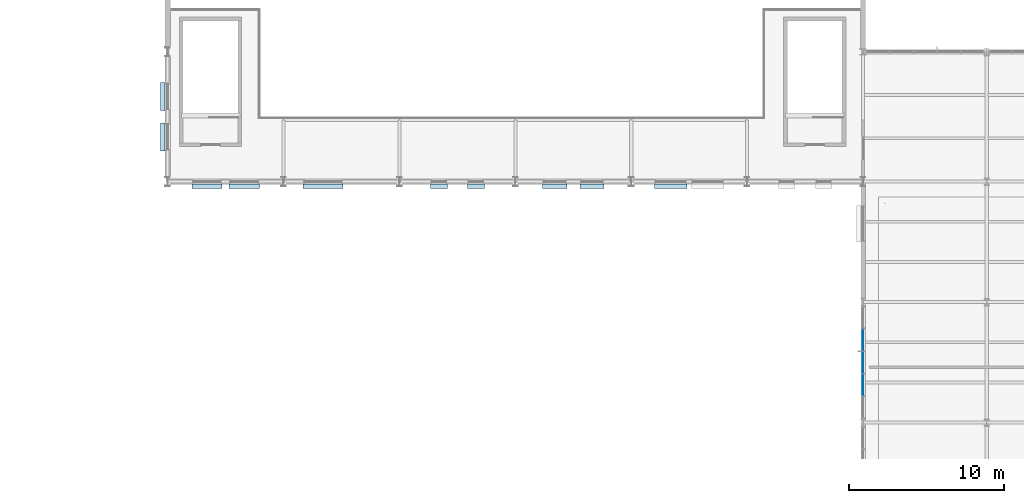
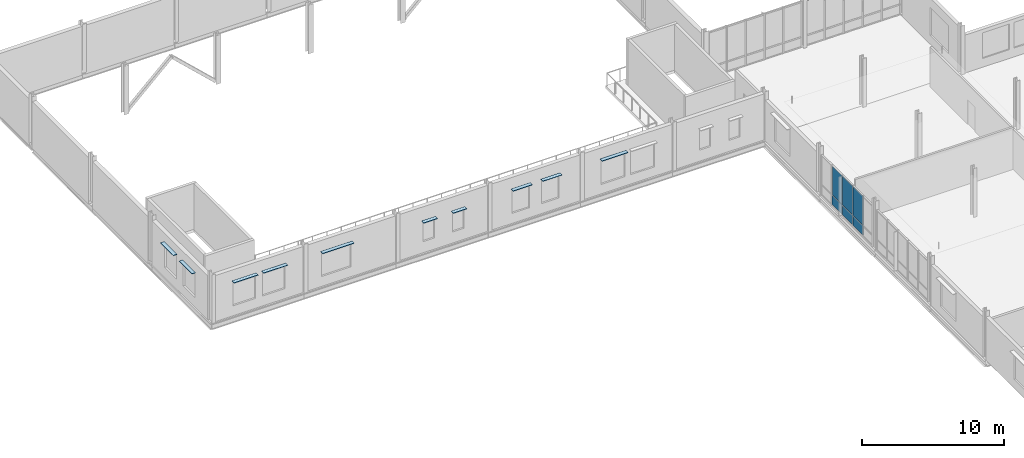
# One storey, part 49 of 75: 16 plates, 1 element without a shape of its own.
"""IFC4 building model written with IfcOpenShell, lengths in metres."""

from ifc_helpers import new_model, si_unit, direction, frame, origin, origin_2d, place, context, subcontext, project, spatial, rectangle, extrude, material, layer, layer_set, type_object, element, aggregate, save


model = new_model("IFC4")

# Units and contexts
model_context = context("Model", 3, precision=1e-05, world=origin(), true_north=direction((0.0, 1.0)))
body_context = subcontext(model_context, "Body", "Model", "MODEL_VIEW")
ifc_project = project(units=[si_unit("LENGTHUNIT", "METRE"), si_unit("AREAUNIT", "SQUARE_METRE"), si_unit("VOLUMEUNIT", "CUBIC_METRE"), si_unit("PLANEANGLEUNIT", "RADIAN"), si_unit("MASSUNIT", "GRAM", prefix="KILO")], contexts=[model_context])

# Site, building, storey
site_placement = place(None, origin())
site = spatial("IfcSite", under=ifc_project, at=site_placement, CompositionType="ELEMENT")
building_placement = place(site_placement, origin())
building = spatial("IfcBuilding", under=site, at=building_placement, Name="Yukiwa Park Conservatory and Herbarium", CompositionType="ELEMENT")
storey_placement = place(building_placement, frame((0.0, 0.0, 4.800048828125)))
storey = spatial("IfcBuildingStorey", under=building, at=storey_placement, Name="L01", CompositionType="ELEMENT", Elevation=4.800048828125)

# Curtain wall, plates
ifc_material_1 = material(Name="Triple Low-E Insulated Glass", Category="glass")
ifc_layer_1 = layer(ifc_material_1, 0.199951171875)
ifc_layer_set_1 = layer_set([ifc_layer_1], Name="Triple Low-E Insulated Glass")
curtain_wall_type = type_object("IfcCurtainWallType", Name="CW-VISITOR-1600", PredefinedType="NOTDEFINED", material=ifc_layer_set_1)
curtain_wall_placement = place(storey_placement, origin())
curtain_wall = element("IfcCurtainWall", 1, at=curtain_wall_placement, inside=storey, type_object=curtain_wall_type, Name="L01 unitised curtain wall CW-L01-048", PredefinedType="NOTDEFINED")
ifc_material_2 = material(Name="Triple Low-E Insulated Glass", Category="glass")
ifc_layer_2 = layer(ifc_material_2, 0.035888671875)
ifc_layer_set_2 = layer_set([ifc_layer_2], Name="Triple Low-E Insulated Glass")
plate_type_1 = type_object("IfcPlateType", Name="PL-CW-GLZ-36", PredefinedType="CURTAIN_PANEL", material=ifc_layer_set_2)
plate_1_placement = place(storey_placement, frame((60.0, 67.762451171875, 0.934814453125), z_axis=(0.0, 0.0, 1.0), x_axis=(0.0, -1.0, 0.0)))
plate_1 = element("IfcPlate", 2, at=plate_1_placement, type_object=plate_type_1, Name="CW-L01-048 vision panel 2.2", PredefinedType="CURTAIN_PANEL", context=body_context, shape_type="SweptSolid", body=[
    extrude(rectangle(XDim=1.392333984375, YDim=0.035888671875, at=origin_2d()), origin(), (0.0, 0.0, 1.0), 2.4560546875),
])
plate_2_placement = place(storey_placement, frame((60.0, 66.300048828125, 0.934814453125), z_axis=(0.0, 0.0, 1.0), x_axis=(0.0, -1.0, 0.0)))
plate_2 = element("IfcPlate", 3, at=plate_2_placement, type_object=plate_type_1, Name="CW-L01-048 vision panel 3.2", PredefinedType="CURTAIN_PANEL", context=body_context, shape_type="SweptSolid", body=[
    extrude(rectangle(XDim=1.392333984375, YDim=0.035888671875, at=origin_2d()), origin(), (0.0, 0.0, 1.0), 2.4560546875),
])
plate_3_placement = place(storey_placement, frame((60.0, 64.837646484375, 0.934814453125), z_axis=(0.0, 0.0, 1.0), x_axis=(0.0, -1.0, 0.0)))
plate_3 = element("IfcPlate", 4, at=plate_3_placement, type_object=plate_type_1, Name="CW-L01-048 vision panel 4.2", PredefinedType="CURTAIN_PANEL", context=body_context, shape_type="SweptSolid", body=[
    extrude(rectangle(XDim=1.392333984375, YDim=0.035888671875, at=origin_2d()), origin(), (0.0, 0.0, 1.0), 2.4560546875),
])
ifc_material_3 = material(Name="Anodised Aluminium", Category="aluminium")
ifc_layer_3 = layer(ifc_material_3, 0.044921875)
ifc_layer_set_3 = layer_set([ifc_layer_3], Name="Anodised Aluminium")
plate_type_2 = type_object("IfcPlateType", Name="PL-CW-SPN-45", PredefinedType="CURTAIN_PANEL", material=ifc_layer_set_3)
plate_4_placement = place(storey_placement, frame((60.0, 67.762451171875, 0.070068359375), z_axis=(0.0, 0.0, 1.0), x_axis=(0.0, -1.0, 0.0)))
plate_4 = element("IfcPlate", 5, at=plate_4_placement, type_object=plate_type_2, Name="CW-L01-048 spandrel panel 2.1", PredefinedType="CURTAIN_PANEL", context=body_context, shape_type="SweptSolid", body=[
    extrude(rectangle(XDim=1.392333984375, YDim=0.044921875, at=origin_2d()), origin(), (0.0, 0.0, 1.0), 0.794921875),
])
plate_5_placement = place(storey_placement, frame((60.0, 66.300048828125, 0.070068359375), z_axis=(0.0, 0.0, 1.0), x_axis=(0.0, -1.0, 0.0)))
plate_5 = element("IfcPlate", 6, at=plate_5_placement, type_object=plate_type_2, Name="CW-L01-048 spandrel panel 3.1", PredefinedType="CURTAIN_PANEL", context=body_context, shape_type="SweptSolid", body=[
    extrude(rectangle(XDim=1.392333984375, YDim=0.044921875, at=origin_2d()), origin(), (0.0, 0.0, 1.0), 0.794921875),
])
plate_6_placement = place(storey_placement, frame((60.0, 64.837646484375, 0.070068359375), z_axis=(0.0, 0.0, 1.0), x_axis=(0.0, -1.0, 0.0)))
plate_6 = element("IfcPlate", 7, at=plate_6_placement, type_object=plate_type_2, Name="CW-L01-048 spandrel panel 4.1", PredefinedType="CURTAIN_PANEL", context=body_context, shape_type="SweptSolid", body=[
    extrude(rectangle(XDim=1.392333984375, YDim=0.044921875, at=origin_2d()), origin(), (0.0, 0.0, 1.0), 0.794921875),
])
aggregate(curtain_wall, [plate_4, plate_1, plate_5, plate_2, plate_6, plate_3])

# Plates
ifc_material_4 = material(Name="Anodised Aluminium", Category="aluminium")
ifc_layer_4 = layer(ifc_material_4, 0.0400390625)
ifc_layer_set_4 = layer_set([ifc_layer_4], Name="Anodised Aluminium")
plate_type_3 = type_object("IfcPlateType", Name="PL-SHADE-ALU-40", PredefinedType="SHEET", material=ifc_layer_set_4)
for number, where, z_axis, x_axis, name in (
    (8, (14.68994140625, 83.5009765625, 2.989990234375), (0.0, 0.0, 1.0), (0.0, -1.0, 0.0), "L01 snow-shedding window hood 62"),
    (9, (14.68994140625, 80.89599609375, 2.989990234375), (0.0, 0.0, 1.0), (0.0, -1.0, 0.0), "L01 snow-shedding window hood 63"),
):
    element("IfcPlate", number, at=place(storey_placement, frame(where, z_axis=z_axis, x_axis=x_axis)), inside=storey, type_object=plate_type_3, Name=name, PredefinedType="SHEET", context=body_context, shape_type="SweptSolid", body=[
        extrude(rectangle(XDim=1.81005859375, YDim=0.300048828125, at=origin_2d()), origin(), (0.0, 0.0, 1.0), 0.0400390625),
    ])
for number, where, z_axis, x_axis, name in (
    (10, (17.550048828125, 77.68994140625, 2.989990234375), (0.0, 0.0, 1.0), (1.0, 0.0, 0.0), "L01 snow-shedding window hood 64"),
    (11, (19.949951171875, 77.68994140625, 2.989990234375), (0.0, 0.0, 1.0), (1.0, 0.0, 0.0), "L01 snow-shedding window hood 65"),
):
    element("IfcPlate", number, at=place(storey_placement, frame(where, z_axis=z_axis, x_axis=x_axis)), inside=storey, type_object=plate_type_3, Name=name, PredefinedType="SHEET", context=body_context, shape_type="SweptSolid", body=[
        extrude(rectangle(XDim=1.9599609375, YDim=0.300048828125, at=origin_2d()), origin(), (0.0, 0.0, 1.0), 0.0400390625),
    ])
plate_7_placement = place(storey_placement, frame((25.050048828125, 77.68994140625, 2.989990234375), z_axis=(0.0, 0.0, 1.0), x_axis=(1.0, 0.0, 0.0)))
element("IfcPlate", 12, at=plate_7_placement, inside=storey, type_object=plate_type_3, Name="L01 snow-shedding window hood 66", PredefinedType="SHEET", context=body_context, shape_type="SweptSolid", body=[
    extrude(rectangle(XDim=2.56005859375, YDim=0.300048828125, at=origin_2d()), origin(), (0.0, 0.0, 1.0), 0.0400390625),
])
for number, where, z_axis, x_axis, name in (
    (13, (32.550048828125, 77.68994140625, 2.739990234375), (0.0, 0.0, 1.0), (1.0, 0.0, 0.0), "L01 snow-shedding window hood 67"),
    (14, (34.949951171875, 77.68994140625, 2.739990234375), (0.0, 0.0, 1.0), (1.0, 0.0, 0.0), "L01 snow-shedding window hood 68"),
):
    element("IfcPlate", number, at=place(storey_placement, frame(where, z_axis=z_axis, x_axis=x_axis)), inside=storey, type_object=plate_type_3, Name=name, PredefinedType="SHEET", context=body_context, shape_type="SweptSolid", body=[
        extrude(rectangle(XDim=1.110107421875, YDim=0.300048828125, at=origin_2d()), origin(), (0.0, 0.0, 1.0), 0.0400390625),
    ])
for number, where, z_axis, x_axis, name in (
    (15, (40.050048828125, 77.68994140625, 2.93994140625), (0.0, 0.0, 1.0), (1.0, 0.0, 0.0), "L01 snow-shedding window hood 69"),
    (16, (42.449951171875, 77.68994140625, 2.93994140625), (0.0, 0.0, 1.0), (1.0, 0.0, 0.0), "L01 snow-shedding window hood 70"),
):
    element("IfcPlate", number, at=place(storey_placement, frame(where, z_axis=z_axis, x_axis=x_axis)), inside=storey, type_object=plate_type_3, Name=name, PredefinedType="SHEET", context=body_context, shape_type="SweptSolid", body=[
        extrude(rectangle(XDim=1.56005859375, YDim=0.300048828125, at=origin_2d()), origin(), (0.0, 0.0, 1.0), 0.0400390625),
    ])
plate_8_placement = place(storey_placement, frame((47.550048828125, 77.68994140625, 2.989990234375), z_axis=(0.0, 0.0, 1.0), x_axis=(1.0, 0.0, 0.0)))
element("IfcPlate", 17, at=plate_8_placement, inside=storey, type_object=plate_type_3, Name="L01 snow-shedding window hood 71", PredefinedType="SHEET", context=body_context, shape_type="SweptSolid", body=[
    extrude(rectangle(XDim=2.110107421875, YDim=0.300048828125, at=origin_2d()), origin(), (0.0, 0.0, 1.0), 0.0400390625),
])

save(model, "model.ifc")
